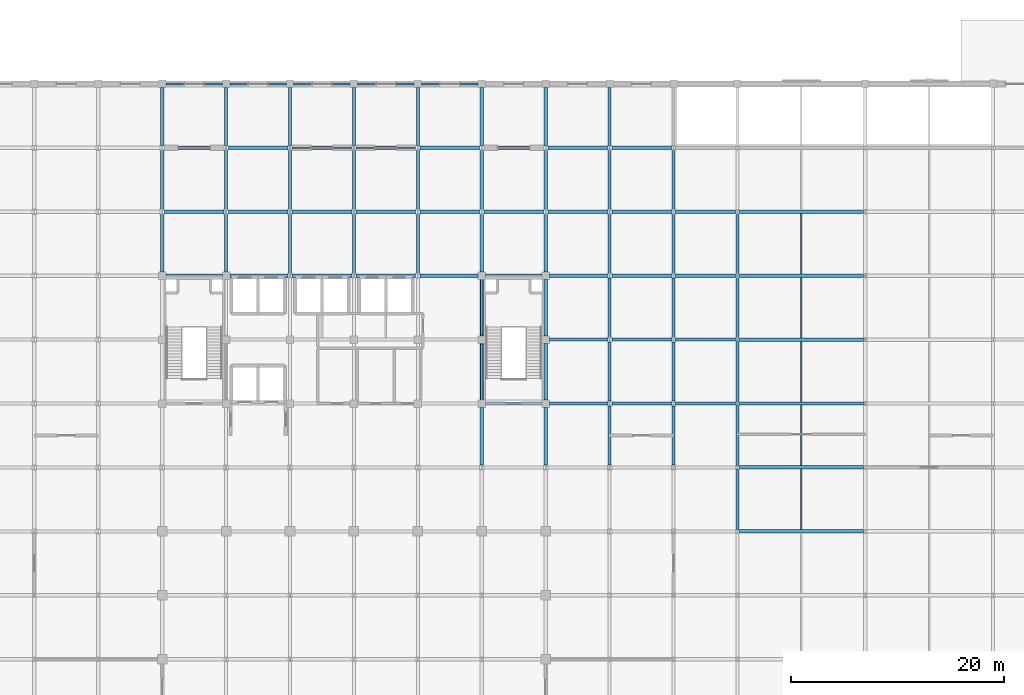
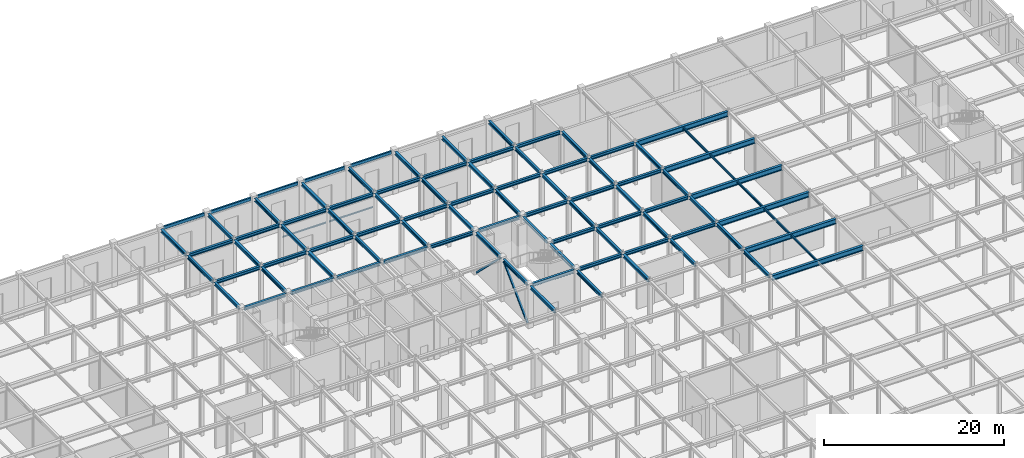
# One storey, part 36 of 51: 94 beams, 2 members.
"""IFC4 building model written with IfcOpenShell, lengths in metres."""

from ifc_helpers import new_model, si_unit, direction, frame, origin, origin_2d, place, context, subcontext, project, spatial, hollow_rectangle, i_section, extrude, material, material_profile, profile_set, type_object, element, save


model = new_model("IFC4")

# Units and contexts
model_context = context("Model", 3, precision=1e-05, world=origin(), true_north=direction((0.0, 1.0)))
body_context = subcontext(model_context, "Body", "Model", "MODEL_VIEW")
ifc_project = project(units=[si_unit("LENGTHUNIT", "METRE"), si_unit("AREAUNIT", "SQUARE_METRE"), si_unit("VOLUMEUNIT", "CUBIC_METRE"), si_unit("PLANEANGLEUNIT", "RADIAN"), si_unit("MASSUNIT", "GRAM", prefix="KILO")], contexts=[model_context])

# Site, building, storey
site_placement = place(None, origin())
site = spatial("IfcSite", under=ifc_project, at=site_placement, CompositionType="ELEMENT")
building_placement = place(site_placement, origin())
building = spatial("IfcBuilding", under=site, at=building_placement, Name="Zlatovratsky Civic Hall", CompositionType="ELEMENT")
storey_placement = place(building_placement, origin())
storey = spatial("IfcBuildingStorey", under=building, at=storey_placement, Name="L01", CompositionType="ELEMENT", Elevation=0.0)

# Beams
ifc_material = material(Name="Steel S355", Category="steel")
ifc_material_profile_1 = material_profile(ifc_material, i_section(OverallWidth=0.320068359375, OverallDepth=0.68310546875, WebThickness=0.012939453125, FlangeThickness=0.01904296875, FilletRadius=0.02587890625, at=origin_2d()), Name="70Sh1")
ifc_profile_set_1 = profile_set([ifc_material_profile_1], Name="Steel S355")
beam_type_1 = type_object("IfcBeamType", Name="Beam_HallGirder_70Sh1", PredefinedType="BEAM", material=ifc_profile_set_1)
for number, where, z_axis, x_axis, name in (
    (1, (120.175048828125, 72.0, 5.41845703125), (1.0, 0.0, 0.0), (0.0, 1.0, 0.0), "BM-1092"),
    (2, (120.175048828125, 78.0, 5.41845703125), (1.0, 0.0, 0.0), (0.0, 1.0, 0.0), "BM-1114"),
    (3, (120.175048828125, 84.0, 5.41845703125), (1.0, 0.0, 0.0), (0.0, 1.0, 0.0), "BM-1136"),
    (4, (120.175048828125, 90.0, 5.41845703125), (1.0, 0.0, 0.0), (0.0, 1.0, 0.0), "BM-1155"),
    (5, (120.175048828125, 96.0, 5.41845703125), (1.0, 0.0, 0.0), (0.0, 1.0, 0.0), "BM-1176"),
    (6, (120.175048828125, 102.0, 5.41845703125), (1.0, 0.0, 0.0), (0.0, 1.0, 0.0), "BM-1198"),
):
    element("IfcBeam", number, at=place(storey_placement, frame(where, z_axis=z_axis, x_axis=x_axis)), inside=storey, type_object=beam_type_1, Name=name, PredefinedType="BEAM", context=body_context, shape_type="SweptSolid", body=[
        extrude(i_section(OverallWidth=0.320068359375, OverallDepth=0.68310546875, WebThickness=0.012939453125, FlangeThickness=0.01904296875, FilletRadius=0.02587890625, at=origin_2d()), origin(), (0.0, 0.0, 1.0), 11.64990234375),
    ])
ifc_material_profile_2 = material_profile(ifc_material, i_section(OverallWidth=0.198974609375, OverallDepth=0.491943359375, WebThickness=0.0087890625, FlangeThickness=0.011962890625, FilletRadius=0.01611328125, at=origin_2d()), Name="50B1")
ifc_profile_set_2 = profile_set([ifc_material_profile_2], Name="Steel S355")
beam_type_2 = type_object("IfcBeamType", Name="Beam_Spandrel_50B1", PredefinedType="SPANDREL", material=ifc_profile_set_2)
for number, where, z_axis, x_axis, name in (
    (7, (66.35009765625, 114.0, 5.513916015625), (1.0, 0.0, 0.0), (0.0, 1.0, 0.0), "BM-1233"),
    (8, (72.35009765625, 114.0, 5.513916015625), (1.0, 0.0, 0.0), (0.0, 1.0, 0.0), "BM-1234"),
    (9, (78.35009765625, 114.0, 5.513916015625), (1.0, 0.0, 0.0), (0.0, 1.0, 0.0), "BM-1235"),
    (10, (84.35009765625, 114.0, 5.513916015625), (1.0, 0.0, 0.0), (0.0, 1.0, 0.0), "BM-1236"),
    (11, (90.35009765625, 114.0, 5.513916015625), (1.0, 0.0, 0.0), (0.0, 1.0, 0.0), "BM-1237"),
):
    element("IfcBeam", number, at=place(storey_placement, frame(where, z_axis=z_axis, x_axis=x_axis)), inside=storey, type_object=beam_type_2, Name=name, PredefinedType="SPANDREL", context=body_context, shape_type="SweptSolid", body=[
        extrude(i_section(OverallWidth=0.198974609375, OverallDepth=0.491943359375, WebThickness=0.0087890625, FlangeThickness=0.011962890625, FilletRadius=0.01611328125, at=origin_2d()), origin(), (0.0, 0.0, 1.0), 5.2998046875),
    ])
ifc_material_profile_3 = material_profile(ifc_material, i_section(OverallWidth=0.300048828125, OverallDepth=0.43994140625, WebThickness=0.010986328125, FlangeThickness=0.01806640625, FilletRadius=0.02197265625, at=origin_2d()), Name="45Sh1")
ifc_profile_set_3 = profile_set([ifc_material_profile_3], Name="Steel S355")
beam_type_3 = type_object("IfcBeamType", Name="Beam_TowerLow_45Sh1", PredefinedType="BEAM", material=ifc_profile_set_3)
beam_1_placement = place(storey_placement, frame((96.35009765625, 84.0, 5.5400390625), z_axis=(1.0, 0.0, 0.0), x_axis=(0.0, 1.0, 0.0)))
element("IfcBeam", 12, at=beam_1_placement, inside=storey, type_object=beam_type_3, Name="BM-1132", PredefinedType="BEAM", context=body_context, shape_type="SweptSolid", body=[
    extrude(i_section(OverallWidth=0.300048828125, OverallDepth=0.43994140625, WebThickness=0.010986328125, FlangeThickness=0.01806640625, FilletRadius=0.02197265625, at=origin_2d()), origin(), (0.0, 0.0, 1.0), 5.2998046875),
])
beam_2_placement = place(storey_placement, frame((102.35009765625, 84.0, 5.5400390625), z_axis=(1.0, 0.0, 0.0), x_axis=(0.0, 1.0, 0.0)))
element("IfcBeam", 13, at=beam_2_placement, inside=storey, type_object=beam_type_3, Name="BM-1133", PredefinedType="BEAM", context=body_context, shape_type="SweptSolid", body=[
    extrude(i_section(OverallWidth=0.300048828125, OverallDepth=0.43994140625, WebThickness=0.010986328125, FlangeThickness=0.01806640625, FilletRadius=0.02197265625, at=origin_2d()), origin(), (0.0, 0.0, 1.0), 5.4453125),
])
beam_3_placement = place(storey_placement, frame((108.20458984375, 84.0, 5.5400390625), z_axis=(1.0, 0.0, 0.0), x_axis=(0.0, 1.0, 0.0)))
element("IfcBeam", 14, at=beam_3_placement, inside=storey, type_object=beam_type_3, Name="BM-1134", PredefinedType="BEAM", context=body_context, shape_type="SweptSolid", body=[
    extrude(i_section(OverallWidth=0.300048828125, OverallDepth=0.43994140625, WebThickness=0.010986328125, FlangeThickness=0.01806640625, FilletRadius=0.02197265625, at=origin_2d()), origin(), (0.0, 0.0, 1.0), 5.5908203125),
])
beam_4_placement = place(storey_placement, frame((114.20458984375, 84.0, 5.5400390625), z_axis=(1.0, 0.0, 0.0), x_axis=(0.0, 1.0, 0.0)))
element("IfcBeam", 15, at=beam_4_placement, inside=storey, type_object=beam_type_3, Name="BM-1135", PredefinedType="BEAM", context=body_context, shape_type="SweptSolid", body=[
    extrude(i_section(OverallWidth=0.300048828125, OverallDepth=0.43994140625, WebThickness=0.010986328125, FlangeThickness=0.01806640625, FilletRadius=0.02197265625, at=origin_2d()), origin(), (0.0, 0.0, 1.0), 5.620361328125),
])
beam_5_placement = place(storey_placement, frame((102.35009765625, 90.0, 5.5400390625), z_axis=(1.0, 0.0, 0.0), x_axis=(0.0, 1.0, 0.0)))
element("IfcBeam", 16, at=beam_5_placement, inside=storey, type_object=beam_type_3, Name="BM-1152", PredefinedType="BEAM", context=body_context, shape_type="SweptSolid", body=[
    extrude(i_section(OverallWidth=0.300048828125, OverallDepth=0.43994140625, WebThickness=0.010986328125, FlangeThickness=0.01806640625, FilletRadius=0.02197265625, at=origin_2d()), origin(), (0.0, 0.0, 1.0), 5.4453125),
])
beam_6_placement = place(storey_placement, frame((108.20458984375, 90.0, 5.5400390625), z_axis=(1.0, 0.0, 0.0), x_axis=(0.0, 1.0, 0.0)))
element("IfcBeam", 17, at=beam_6_placement, inside=storey, type_object=beam_type_3, Name="BM-1153", PredefinedType="BEAM", context=body_context, shape_type="SweptSolid", body=[
    extrude(i_section(OverallWidth=0.300048828125, OverallDepth=0.43994140625, WebThickness=0.010986328125, FlangeThickness=0.01806640625, FilletRadius=0.02197265625, at=origin_2d()), origin(), (0.0, 0.0, 1.0), 5.5908203125),
])
beam_7_placement = place(storey_placement, frame((114.20458984375, 90.0, 5.5400390625), z_axis=(1.0, 0.0, 0.0), x_axis=(0.0, 1.0, 0.0)))
element("IfcBeam", 18, at=beam_7_placement, inside=storey, type_object=beam_type_3, Name="BM-1154", PredefinedType="BEAM", context=body_context, shape_type="SweptSolid", body=[
    extrude(i_section(OverallWidth=0.300048828125, OverallDepth=0.43994140625, WebThickness=0.010986328125, FlangeThickness=0.01806640625, FilletRadius=0.02197265625, at=origin_2d()), origin(), (0.0, 0.0, 1.0), 5.620361328125),
])
beam_8_placement = place(storey_placement, frame((66.35009765625, 96.0, 5.5400390625), z_axis=(1.0, 0.0, 0.0), x_axis=(0.0, 1.0, 0.0)))
element("IfcBeam", 19, at=beam_8_placement, inside=storey, type_object=beam_type_3, Name="BM-1167", PredefinedType="BEAM", context=body_context, shape_type="SweptSolid", body=[
    extrude(i_section(OverallWidth=0.300048828125, OverallDepth=0.43994140625, WebThickness=0.010986328125, FlangeThickness=0.01806640625, FilletRadius=0.02197265625, at=origin_2d()), origin(), (0.0, 0.0, 1.0), 5.2998046875),
])
beam_9_placement = place(storey_placement, frame((72.35009765625, 96.0, 5.5400390625), z_axis=(1.0, 0.0, 0.0), x_axis=(0.0, 1.0, 0.0)))
element("IfcBeam", 20, at=beam_9_placement, inside=storey, type_object=beam_type_3, Name="BM-1168", PredefinedType="BEAM", context=body_context, shape_type="SweptSolid", body=[
    extrude(i_section(OverallWidth=0.300048828125, OverallDepth=0.43994140625, WebThickness=0.010986328125, FlangeThickness=0.01806640625, FilletRadius=0.02197265625, at=origin_2d()), origin(), (0.0, 0.0, 1.0), 5.4453125),
])
for number, where, z_axis, x_axis, name in (
    (21, (78.20458984375, 96.0, 5.5400390625), (1.0, 0.0, 0.0), (0.0, 1.0, 0.0), "BM-1169"),
    (22, (84.20458984375, 96.0, 5.5400390625), (1.0, 0.0, 0.0), (0.0, 1.0, 0.0), "BM-1170"),
):
    element("IfcBeam", number, at=place(storey_placement, frame(where, z_axis=z_axis, x_axis=x_axis)), inside=storey, type_object=beam_type_3, Name=name, PredefinedType="BEAM", context=body_context, shape_type="SweptSolid", body=[
        extrude(i_section(OverallWidth=0.300048828125, OverallDepth=0.43994140625, WebThickness=0.010986328125, FlangeThickness=0.01806640625, FilletRadius=0.02197265625, at=origin_2d()), origin(), (0.0, 0.0, 1.0), 5.5908203125),
    ])
beam_10_placement = place(storey_placement, frame((90.20458984375, 96.0, 5.5400390625), z_axis=(1.0, 0.0, 0.0), x_axis=(0.0, 1.0, 0.0)))
element("IfcBeam", 23, at=beam_10_placement, inside=storey, type_object=beam_type_3, Name="BM-1171", PredefinedType="BEAM", context=body_context, shape_type="SweptSolid", body=[
    extrude(i_section(OverallWidth=0.300048828125, OverallDepth=0.43994140625, WebThickness=0.010986328125, FlangeThickness=0.01806640625, FilletRadius=0.02197265625, at=origin_2d()), origin(), (0.0, 0.0, 1.0), 5.4453125),
])
beam_11_placement = place(storey_placement, frame((96.35009765625, 96.0, 5.5400390625), z_axis=(1.0, 0.0, 0.0), x_axis=(0.0, 1.0, 0.0)))
element("IfcBeam", 24, at=beam_11_placement, inside=storey, type_object=beam_type_3, Name="BM-1172", PredefinedType="BEAM", context=body_context, shape_type="SweptSolid", body=[
    extrude(i_section(OverallWidth=0.300048828125, OverallDepth=0.43994140625, WebThickness=0.010986328125, FlangeThickness=0.01806640625, FilletRadius=0.02197265625, at=origin_2d()), origin(), (0.0, 0.0, 1.0), 5.2998046875),
])
beam_12_placement = place(storey_placement, frame((102.35009765625, 96.0, 5.5400390625), z_axis=(1.0, 0.0, 0.0), x_axis=(0.0, 1.0, 0.0)))
element("IfcBeam", 25, at=beam_12_placement, inside=storey, type_object=beam_type_3, Name="BM-1173", PredefinedType="BEAM", context=body_context, shape_type="SweptSolid", body=[
    extrude(i_section(OverallWidth=0.300048828125, OverallDepth=0.43994140625, WebThickness=0.010986328125, FlangeThickness=0.01806640625, FilletRadius=0.02197265625, at=origin_2d()), origin(), (0.0, 0.0, 1.0), 5.4453125),
])
beam_13_placement = place(storey_placement, frame((108.20458984375, 96.0, 5.5400390625), z_axis=(1.0, 0.0, 0.0), x_axis=(0.0, 1.0, 0.0)))
element("IfcBeam", 26, at=beam_13_placement, inside=storey, type_object=beam_type_3, Name="BM-1174", PredefinedType="BEAM", context=body_context, shape_type="SweptSolid", body=[
    extrude(i_section(OverallWidth=0.300048828125, OverallDepth=0.43994140625, WebThickness=0.010986328125, FlangeThickness=0.01806640625, FilletRadius=0.02197265625, at=origin_2d()), origin(), (0.0, 0.0, 1.0), 5.5908203125),
])
beam_14_placement = place(storey_placement, frame((114.20458984375, 96.0, 5.5400390625), z_axis=(1.0, 0.0, 0.0), x_axis=(0.0, 1.0, 0.0)))
element("IfcBeam", 27, at=beam_14_placement, inside=storey, type_object=beam_type_3, Name="BM-1175", PredefinedType="BEAM", context=body_context, shape_type="SweptSolid", body=[
    extrude(i_section(OverallWidth=0.300048828125, OverallDepth=0.43994140625, WebThickness=0.010986328125, FlangeThickness=0.01806640625, FilletRadius=0.02197265625, at=origin_2d()), origin(), (0.0, 0.0, 1.0), 5.620361328125),
])
for number, where, z_axis, x_axis, name in (
    (28, (66.20458984375, 102.0, 5.5400390625), (1.0, 0.0, 0.0), (0.0, 1.0, 0.0), "BM-1189"),
    (29, (72.20458984375, 102.0, 5.5400390625), (1.0, 0.0, 0.0), (0.0, 1.0, 0.0), "BM-1190"),
    (30, (78.20458984375, 102.0, 5.5400390625), (1.0, 0.0, 0.0), (0.0, 1.0, 0.0), "BM-1191"),
    (31, (84.20458984375, 102.0, 5.5400390625), (1.0, 0.0, 0.0), (0.0, 1.0, 0.0), "BM-1192"),
    (32, (90.20458984375, 102.0, 5.5400390625), (1.0, 0.0, 0.0), (0.0, 1.0, 0.0), "BM-1193"),
    (33, (96.20458984375, 102.0, 5.5400390625), (1.0, 0.0, 0.0), (0.0, 1.0, 0.0), "BM-1194"),
    (34, (102.20458984375, 102.0, 5.5400390625), (1.0, 0.0, 0.0), (0.0, 1.0, 0.0), "BM-1195"),
    (35, (108.20458984375, 102.0, 5.5400390625), (1.0, 0.0, 0.0), (0.0, 1.0, 0.0), "BM-1196"),
):
    element("IfcBeam", number, at=place(storey_placement, frame(where, z_axis=z_axis, x_axis=x_axis)), inside=storey, type_object=beam_type_3, Name=name, PredefinedType="BEAM", context=body_context, shape_type="SweptSolid", body=[
        extrude(i_section(OverallWidth=0.300048828125, OverallDepth=0.43994140625, WebThickness=0.010986328125, FlangeThickness=0.01806640625, FilletRadius=0.02197265625, at=origin_2d()), origin(), (0.0, 0.0, 1.0), 5.5908203125),
    ])
beam_15_placement = place(storey_placement, frame((114.20458984375, 102.0, 5.5400390625), z_axis=(1.0, 0.0, 0.0), x_axis=(0.0, 1.0, 0.0)))
element("IfcBeam", 36, at=beam_15_placement, inside=storey, type_object=beam_type_3, Name="BM-1197", PredefinedType="BEAM", context=body_context, shape_type="SweptSolid", body=[
    extrude(i_section(OverallWidth=0.300048828125, OverallDepth=0.43994140625, WebThickness=0.010986328125, FlangeThickness=0.01806640625, FilletRadius=0.02197265625, at=origin_2d()), origin(), (0.0, 0.0, 1.0), 5.620361328125),
])
for number, where, z_axis, x_axis, name in (
    (37, (66.20458984375, 108.0, 5.5400390625), (1.0, 0.0, 0.0), (0.0, 1.0, 0.0), "BM-1211"),
    (38, (72.20458984375, 108.0, 5.5400390625), (1.0, 0.0, 0.0), (0.0, 1.0, 0.0), "BM-1212"),
    (39, (78.20458984375, 108.0, 5.5400390625), (1.0, 0.0, 0.0), (0.0, 1.0, 0.0), "BM-1213"),
    (40, (84.20458984375, 108.0, 5.5400390625), (1.0, 0.0, 0.0), (0.0, 1.0, 0.0), "BM-1214"),
    (41, (90.20458984375, 108.0, 5.5400390625), (1.0, 0.0, 0.0), (0.0, 1.0, 0.0), "BM-1215"),
    (42, (96.20458984375, 108.0, 5.5400390625), (1.0, 0.0, 0.0), (0.0, 1.0, 0.0), "BM-1216"),
    (43, (102.20458984375, 108.0, 5.5400390625), (1.0, 0.0, 0.0), (0.0, 1.0, 0.0), "BM-1217"),
    (44, (108.20458984375, 108.0, 5.5400390625), (1.0, 0.0, 0.0), (0.0, 1.0, 0.0), "BM-1218"),
):
    element("IfcBeam", number, at=place(storey_placement, frame(where, z_axis=z_axis, x_axis=x_axis)), inside=storey, type_object=beam_type_3, Name=name, PredefinedType="BEAM", context=body_context, shape_type="SweptSolid", body=[
        extrude(i_section(OverallWidth=0.300048828125, OverallDepth=0.43994140625, WebThickness=0.010986328125, FlangeThickness=0.01806640625, FilletRadius=0.02197265625, at=origin_2d()), origin(), (0.0, 0.0, 1.0), 5.5908203125),
    ])
beam_16_placement = place(storey_placement, frame((66.0, 96.35009765625, 5.5400390625), z_axis=(0.0, 1.0, 0.0), x_axis=(-1.0, 0.0, 0.0)))
element("IfcBeam", 45, at=beam_16_placement, inside=storey, type_object=beam_type_3, Name="BM-1395", PredefinedType="BEAM", context=body_context, shape_type="SweptSolid", body=[
    extrude(i_section(OverallWidth=0.300048828125, OverallDepth=0.43994140625, WebThickness=0.010986328125, FlangeThickness=0.01806640625, FilletRadius=0.02197265625, at=origin_2d()), origin(), (0.0, 0.0, 1.0), 5.435302734375),
])
beam_17_placement = place(storey_placement, frame((66.0, 102.214599609375, 5.5400390625), z_axis=(0.0, 1.0, 0.0), x_axis=(-1.0, 0.0, 0.0)))
element("IfcBeam", 46, at=beam_17_placement, inside=storey, type_object=beam_type_3, Name="BM-1396", PredefinedType="BEAM", context=body_context, shape_type="SweptSolid", body=[
    extrude(i_section(OverallWidth=0.300048828125, OverallDepth=0.43994140625, WebThickness=0.010986328125, FlangeThickness=0.01806640625, FilletRadius=0.02197265625, at=origin_2d()), origin(), (0.0, 0.0, 1.0), 5.57080078125),
])
for number, where, z_axis, x_axis, name in (
    (47, (66.0, 108.214599609375, 5.5400390625), (0.0, 1.0, 0.0), (-1.0, 0.0, 0.0), "BM-1397"),
    (48, (72.0, 96.35009765625, 5.5400390625), (0.0, 1.0, 0.0), (-1.0, 0.0, 0.0), "BM-1411"),
):
    element("IfcBeam", number, at=place(storey_placement, frame(where, z_axis=z_axis, x_axis=x_axis)), inside=storey, type_object=beam_type_3, Name=name, PredefinedType="BEAM", context=body_context, shape_type="SweptSolid", body=[
        extrude(i_section(OverallWidth=0.300048828125, OverallDepth=0.43994140625, WebThickness=0.010986328125, FlangeThickness=0.01806640625, FilletRadius=0.02197265625, at=origin_2d()), origin(), (0.0, 0.0, 1.0), 5.435302734375),
    ])
beam_18_placement = place(storey_placement, frame((72.0, 102.214599609375, 5.5400390625), z_axis=(0.0, 1.0, 0.0), x_axis=(-1.0, 0.0, 0.0)))
element("IfcBeam", 49, at=beam_18_placement, inside=storey, type_object=beam_type_3, Name="BM-1412", PredefinedType="BEAM", context=body_context, shape_type="SweptSolid", body=[
    extrude(i_section(OverallWidth=0.300048828125, OverallDepth=0.43994140625, WebThickness=0.010986328125, FlangeThickness=0.01806640625, FilletRadius=0.02197265625, at=origin_2d()), origin(), (0.0, 0.0, 1.0), 5.57080078125),
])
beam_19_placement = place(storey_placement, frame((72.0, 108.214599609375, 5.5400390625), z_axis=(0.0, 1.0, 0.0), x_axis=(-1.0, 0.0, 0.0)))
element("IfcBeam", 50, at=beam_19_placement, inside=storey, type_object=beam_type_3, Name="BM-1413", PredefinedType="BEAM", context=body_context, shape_type="SweptSolid", body=[
    extrude(i_section(OverallWidth=0.300048828125, OverallDepth=0.43994140625, WebThickness=0.010986328125, FlangeThickness=0.01806640625, FilletRadius=0.02197265625, at=origin_2d()), origin(), (0.0, 0.0, 1.0), 5.435302734375),
])
for number, where, z_axis, x_axis, name in (
    (51, (78.0, 96.214599609375, 5.5400390625), (0.0, 1.0, 0.0), (-1.0, 0.0, 0.0), "BM-1425"),
    (52, (78.0, 102.214599609375, 5.5400390625), (0.0, 1.0, 0.0), (-1.0, 0.0, 0.0), "BM-1426"),
):
    element("IfcBeam", number, at=place(storey_placement, frame(where, z_axis=z_axis, x_axis=x_axis)), inside=storey, type_object=beam_type_3, Name=name, PredefinedType="BEAM", context=body_context, shape_type="SweptSolid", body=[
        extrude(i_section(OverallWidth=0.300048828125, OverallDepth=0.43994140625, WebThickness=0.010986328125, FlangeThickness=0.01806640625, FilletRadius=0.02197265625, at=origin_2d()), origin(), (0.0, 0.0, 1.0), 5.57080078125),
    ])
beam_20_placement = place(storey_placement, frame((78.0, 108.214599609375, 5.5400390625), z_axis=(0.0, 1.0, 0.0), x_axis=(-1.0, 0.0, 0.0)))
element("IfcBeam", 53, at=beam_20_placement, inside=storey, type_object=beam_type_3, Name="BM-1427", PredefinedType="BEAM", context=body_context, shape_type="SweptSolid", body=[
    extrude(i_section(OverallWidth=0.300048828125, OverallDepth=0.43994140625, WebThickness=0.010986328125, FlangeThickness=0.01806640625, FilletRadius=0.02197265625, at=origin_2d()), origin(), (0.0, 0.0, 1.0), 5.435302734375),
])
for number, where, z_axis, x_axis, name in (
    (54, (84.0, 96.214599609375, 5.5400390625), (0.0, 1.0, 0.0), (-1.0, 0.0, 0.0), "BM-1439"),
    (55, (84.0, 102.214599609375, 5.5400390625), (0.0, 1.0, 0.0), (-1.0, 0.0, 0.0), "BM-1440"),
):
    element("IfcBeam", number, at=place(storey_placement, frame(where, z_axis=z_axis, x_axis=x_axis)), inside=storey, type_object=beam_type_3, Name=name, PredefinedType="BEAM", context=body_context, shape_type="SweptSolid", body=[
        extrude(i_section(OverallWidth=0.300048828125, OverallDepth=0.43994140625, WebThickness=0.010986328125, FlangeThickness=0.01806640625, FilletRadius=0.02197265625, at=origin_2d()), origin(), (0.0, 0.0, 1.0), 5.57080078125),
    ])
beam_21_placement = place(storey_placement, frame((84.0, 108.214599609375, 5.5400390625), z_axis=(0.0, 1.0, 0.0), x_axis=(-1.0, 0.0, 0.0)))
element("IfcBeam", 56, at=beam_21_placement, inside=storey, type_object=beam_type_3, Name="BM-1441", PredefinedType="BEAM", context=body_context, shape_type="SweptSolid", body=[
    extrude(i_section(OverallWidth=0.300048828125, OverallDepth=0.43994140625, WebThickness=0.010986328125, FlangeThickness=0.01806640625, FilletRadius=0.02197265625, at=origin_2d()), origin(), (0.0, 0.0, 1.0), 5.435302734375),
])
for number, where, z_axis, x_axis, name in (
    (57, (90.0, 96.214599609375, 5.5400390625), (0.0, 1.0, 0.0), (-1.0, 0.0, 0.0), "BM-1453"),
    (58, (90.0, 102.214599609375, 5.5400390625), (0.0, 1.0, 0.0), (-1.0, 0.0, 0.0), "BM-1454"),
):
    element("IfcBeam", number, at=place(storey_placement, frame(where, z_axis=z_axis, x_axis=x_axis)), inside=storey, type_object=beam_type_3, Name=name, PredefinedType="BEAM", context=body_context, shape_type="SweptSolid", body=[
        extrude(i_section(OverallWidth=0.300048828125, OverallDepth=0.43994140625, WebThickness=0.010986328125, FlangeThickness=0.01806640625, FilletRadius=0.02197265625, at=origin_2d()), origin(), (0.0, 0.0, 1.0), 5.57080078125),
    ])
for number, where, z_axis, x_axis, name in (
    (59, (90.0, 108.214599609375, 5.5400390625), (0.0, 1.0, 0.0), (-1.0, 0.0, 0.0), "BM-1455"),
    (60, (96.0, 78.214599609375, 5.5400390625), (0.0, 1.0, 0.0), (-1.0, 0.0, 0.0), "BM-1466"),
):
    element("IfcBeam", number, at=place(storey_placement, frame(where, z_axis=z_axis, x_axis=x_axis)), inside=storey, type_object=beam_type_3, Name=name, PredefinedType="BEAM", context=body_context, shape_type="SweptSolid", body=[
        extrude(i_section(OverallWidth=0.300048828125, OverallDepth=0.43994140625, WebThickness=0.010986328125, FlangeThickness=0.01806640625, FilletRadius=0.02197265625, at=origin_2d()), origin(), (0.0, 0.0, 1.0), 5.435302734375),
    ])
for number, where, z_axis, x_axis, name in (
    (61, (96.0, 84.35009765625, 5.5400390625), (0.0, 1.0, 0.0), (-1.0, 0.0, 0.0), "BM-1467"),
    (62, (96.0, 90.35009765625, 5.5400390625), (0.0, 1.0, 0.0), (-1.0, 0.0, 0.0), "BM-1468"),
):
    element("IfcBeam", number, at=place(storey_placement, frame(where, z_axis=z_axis, x_axis=x_axis)), inside=storey, type_object=beam_type_3, Name=name, PredefinedType="BEAM", context=body_context, shape_type="SweptSolid", body=[
        extrude(i_section(OverallWidth=0.300048828125, OverallDepth=0.43994140625, WebThickness=0.010986328125, FlangeThickness=0.01806640625, FilletRadius=0.02197265625, at=origin_2d()), origin(), (0.0, 0.0, 1.0), 5.2998046875),
    ])
beam_22_placement = place(storey_placement, frame((96.0, 96.35009765625, 5.5400390625), z_axis=(0.0, 1.0, 0.0), x_axis=(-1.0, 0.0, 0.0)))
element("IfcBeam", 63, at=beam_22_placement, inside=storey, type_object=beam_type_3, Name="BM-1469", PredefinedType="BEAM", context=body_context, shape_type="SweptSolid", body=[
    extrude(i_section(OverallWidth=0.300048828125, OverallDepth=0.43994140625, WebThickness=0.010986328125, FlangeThickness=0.01806640625, FilletRadius=0.02197265625, at=origin_2d()), origin(), (0.0, 0.0, 1.0), 5.435302734375),
])
beam_23_placement = place(storey_placement, frame((96.0, 102.214599609375, 5.5400390625), z_axis=(0.0, 1.0, 0.0), x_axis=(-1.0, 0.0, 0.0)))
element("IfcBeam", 64, at=beam_23_placement, inside=storey, type_object=beam_type_3, Name="BM-1470", PredefinedType="BEAM", context=body_context, shape_type="SweptSolid", body=[
    extrude(i_section(OverallWidth=0.300048828125, OverallDepth=0.43994140625, WebThickness=0.010986328125, FlangeThickness=0.01806640625, FilletRadius=0.02197265625, at=origin_2d()), origin(), (0.0, 0.0, 1.0), 5.57080078125),
])
for number, where, z_axis, x_axis, name in (
    (65, (96.0, 108.214599609375, 5.5400390625), (0.0, 1.0, 0.0), (-1.0, 0.0, 0.0), "BM-1471"),
    (66, (102.0, 78.214599609375, 5.5400390625), (0.0, 1.0, 0.0), (-1.0, 0.0, 0.0), "BM-1482"),
):
    element("IfcBeam", number, at=place(storey_placement, frame(where, z_axis=z_axis, x_axis=x_axis)), inside=storey, type_object=beam_type_3, Name=name, PredefinedType="BEAM", context=body_context, shape_type="SweptSolid", body=[
        extrude(i_section(OverallWidth=0.300048828125, OverallDepth=0.43994140625, WebThickness=0.010986328125, FlangeThickness=0.01806640625, FilletRadius=0.02197265625, at=origin_2d()), origin(), (0.0, 0.0, 1.0), 5.435302734375),
    ])
for number, where, z_axis, x_axis, name in (
    (67, (102.0, 84.35009765625, 5.5400390625), (0.0, 1.0, 0.0), (-1.0, 0.0, 0.0), "BM-1483"),
    (68, (102.0, 90.35009765625, 5.5400390625), (0.0, 1.0, 0.0), (-1.0, 0.0, 0.0), "BM-1484"),
):
    element("IfcBeam", number, at=place(storey_placement, frame(where, z_axis=z_axis, x_axis=x_axis)), inside=storey, type_object=beam_type_3, Name=name, PredefinedType="BEAM", context=body_context, shape_type="SweptSolid", body=[
        extrude(i_section(OverallWidth=0.300048828125, OverallDepth=0.43994140625, WebThickness=0.010986328125, FlangeThickness=0.01806640625, FilletRadius=0.02197265625, at=origin_2d()), origin(), (0.0, 0.0, 1.0), 5.2998046875),
    ])
beam_24_placement = place(storey_placement, frame((102.0, 96.35009765625, 5.5400390625), z_axis=(0.0, 1.0, 0.0), x_axis=(-1.0, 0.0, 0.0)))
element("IfcBeam", 69, at=beam_24_placement, inside=storey, type_object=beam_type_3, Name="BM-1485", PredefinedType="BEAM", context=body_context, shape_type="SweptSolid", body=[
    extrude(i_section(OverallWidth=0.300048828125, OverallDepth=0.43994140625, WebThickness=0.010986328125, FlangeThickness=0.01806640625, FilletRadius=0.02197265625, at=origin_2d()), origin(), (0.0, 0.0, 1.0), 5.435302734375),
])
beam_25_placement = place(storey_placement, frame((102.0, 102.214599609375, 5.5400390625), z_axis=(0.0, 1.0, 0.0), x_axis=(-1.0, 0.0, 0.0)))
element("IfcBeam", 70, at=beam_25_placement, inside=storey, type_object=beam_type_3, Name="BM-1486", PredefinedType="BEAM", context=body_context, shape_type="SweptSolid", body=[
    extrude(i_section(OverallWidth=0.300048828125, OverallDepth=0.43994140625, WebThickness=0.010986328125, FlangeThickness=0.01806640625, FilletRadius=0.02197265625, at=origin_2d()), origin(), (0.0, 0.0, 1.0), 5.57080078125),
])
beam_26_placement = place(storey_placement, frame((102.0, 108.214599609375, 5.5400390625), z_axis=(0.0, 1.0, 0.0), x_axis=(-1.0, 0.0, 0.0)))
element("IfcBeam", 71, at=beam_26_placement, inside=storey, type_object=beam_type_3, Name="BM-1487", PredefinedType="BEAM", context=body_context, shape_type="SweptSolid", body=[
    extrude(i_section(OverallWidth=0.300048828125, OverallDepth=0.43994140625, WebThickness=0.010986328125, FlangeThickness=0.01806640625, FilletRadius=0.02197265625, at=origin_2d()), origin(), (0.0, 0.0, 1.0), 5.435302734375),
])
for number, where, z_axis, x_axis, name in (
    (72, (108.0, 78.214599609375, 5.5400390625), (0.0, 1.0, 0.0), (-1.0, 0.0, 0.0), "BM-1498"),
    (73, (108.0, 84.214599609375, 5.5400390625), (0.0, 1.0, 0.0), (-1.0, 0.0, 0.0), "BM-1499"),
    (74, (108.0, 90.214599609375, 5.5400390625), (0.0, 1.0, 0.0), (-1.0, 0.0, 0.0), "BM-1500"),
    (75, (108.0, 96.214599609375, 5.5400390625), (0.0, 1.0, 0.0), (-1.0, 0.0, 0.0), "BM-1501"),
    (76, (108.0, 102.214599609375, 5.5400390625), (0.0, 1.0, 0.0), (-1.0, 0.0, 0.0), "BM-1502"),
):
    element("IfcBeam", number, at=place(storey_placement, frame(where, z_axis=z_axis, x_axis=x_axis)), inside=storey, type_object=beam_type_3, Name=name, PredefinedType="BEAM", context=body_context, shape_type="SweptSolid", body=[
        extrude(i_section(OverallWidth=0.300048828125, OverallDepth=0.43994140625, WebThickness=0.010986328125, FlangeThickness=0.01806640625, FilletRadius=0.02197265625, at=origin_2d()), origin(), (0.0, 0.0, 1.0), 5.57080078125),
    ])
beam_27_placement = place(storey_placement, frame((108.0, 108.214599609375, 5.5400390625), z_axis=(0.0, 1.0, 0.0), x_axis=(-1.0, 0.0, 0.0)))
element("IfcBeam", 77, at=beam_27_placement, inside=storey, type_object=beam_type_3, Name="BM-1503", PredefinedType="BEAM", context=body_context, shape_type="SweptSolid", body=[
    extrude(i_section(OverallWidth=0.300048828125, OverallDepth=0.43994140625, WebThickness=0.010986328125, FlangeThickness=0.01806640625, FilletRadius=0.02197265625, at=origin_2d()), origin(), (0.0, 0.0, 1.0), 5.435302734375),
])
for number, where, z_axis, x_axis, name in (
    (78, (114.0, 78.214599609375, 5.5400390625), (0.0, 1.0, 0.0), (-1.0, 0.0, 0.0), "BM-1515"),
    (79, (114.0, 84.214599609375, 5.5400390625), (0.0, 1.0, 0.0), (-1.0, 0.0, 0.0), "BM-1516"),
    (80, (114.0, 90.214599609375, 5.5400390625), (0.0, 1.0, 0.0), (-1.0, 0.0, 0.0), "BM-1517"),
    (81, (114.0, 96.214599609375, 5.5400390625), (0.0, 1.0, 0.0), (-1.0, 0.0, 0.0), "BM-1518"),
    (82, (114.0, 102.214599609375, 5.5400390625), (0.0, 1.0, 0.0), (-1.0, 0.0, 0.0), "BM-1519"),
):
    element("IfcBeam", number, at=place(storey_placement, frame(where, z_axis=z_axis, x_axis=x_axis)), inside=storey, type_object=beam_type_3, Name=name, PredefinedType="BEAM", context=body_context, shape_type="SweptSolid", body=[
        extrude(i_section(OverallWidth=0.300048828125, OverallDepth=0.43994140625, WebThickness=0.010986328125, FlangeThickness=0.01806640625, FilletRadius=0.02197265625, at=origin_2d()), origin(), (0.0, 0.0, 1.0), 5.57080078125),
    ])
for number, where, z_axis, x_axis, name in (
    (83, (120.0, 72.17138671875, 5.5400390625), (0.0, 1.0, 0.0), (-1.0, 0.0, 0.0), "BM-1531"),
    (84, (120.0, 78.17138671875, 5.5400390625), (0.0, 1.0, 0.0), (-1.0, 0.0, 0.0), "BM-1532"),
    (85, (120.0, 84.17138671875, 5.5400390625), (0.0, 1.0, 0.0), (-1.0, 0.0, 0.0), "BM-1533"),
    (86, (120.0, 90.17138671875, 5.5400390625), (0.0, 1.0, 0.0), (-1.0, 0.0, 0.0), "BM-1534"),
    (87, (120.0, 96.17138671875, 5.5400390625), (0.0, 1.0, 0.0), (-1.0, 0.0, 0.0), "BM-1535"),
):
    element("IfcBeam", number, at=place(storey_placement, frame(where, z_axis=z_axis, x_axis=x_axis)), inside=storey, type_object=beam_type_3, Name=name, PredefinedType="BEAM", context=body_context, shape_type="SweptSolid", body=[
        extrude(i_section(OverallWidth=0.300048828125, OverallDepth=0.43994140625, WebThickness=0.010986328125, FlangeThickness=0.01806640625, FilletRadius=0.02197265625, at=origin_2d()), origin(), (0.0, 0.0, 1.0), 5.6572265625),
    ])

# Members
ifc_material_profile_4 = material_profile(ifc_material, hollow_rectangle(XDim=0.219970703125, YDim=0.219970703125, WallThickness=0.010009765625, at=origin_2d()), Name="SHS 220x220x10")
ifc_profile_set_4 = profile_set([ifc_material_profile_4], Name="Steel S355")
member_type = type_object("IfcMemberType", Name="Brace_Podium_SHS220", PredefinedType="BRACE", material=ifc_profile_set_4)
for number, where, z_axis, x_axis, name in (
    (88, (96.0, 84.35009765625, 0.25), (0.0, 0.713799145226, 0.700350469604), (-1.0, 0.0, 0.0), "MB-0094"),
    (89, (96.0, 90.35009765625, 5.449951171875), (0.0, 0.713799145226, -0.700350469604), (-1.0, 0.0, 0.0), "MB-0095"),
):
    element("IfcMember", number, at=place(storey_placement, frame(where, z_axis=z_axis, x_axis=x_axis)), inside=storey, type_object=member_type, Name=name, PredefinedType="BRACE", context=body_context, shape_type="SweptSolid", body=[
        extrude(hollow_rectangle(XDim=0.219970703125, YDim=0.219970703125, WallThickness=0.010009765625, at=origin_2d()), origin(), (0.0, 0.0, 1.0), 7.4248046875),
    ])

# Beams
ifc_material_profile_5 = material_profile(ifc_material, i_section(OverallWidth=0.14990234375, OverallDepth=0.300048828125, WebThickness=0.006591796875, FlangeThickness=0.009033203125, FilletRadius=0.012939453125, at=origin_2d()), Name="30B2")
ifc_profile_set_5 = profile_set([ifc_material_profile_5], Name="Steel S355")
beam_type_4 = type_object("IfcBeamType", Name="Joist_Podium_30B2", PredefinedType="JOIST", material=ifc_profile_set_5)
for number, where, z_axis, x_axis, name in (
    (90, (126.0, 72.159912109375, 5.610107421875), (0.0, 1.0, 0.0), (-1.0, 0.0, 0.0), "BM-1686"),
    (91, (126.0, 78.159912109375, 5.610107421875), (0.0, 1.0, 0.0), (-1.0, 0.0, 0.0), "BM-1692"),
    (92, (126.0, 84.159912109375, 5.610107421875), (0.0, 1.0, 0.0), (-1.0, 0.0, 0.0), "BM-1698"),
    (93, (126.0, 90.159912109375, 5.610107421875), (0.0, 1.0, 0.0), (-1.0, 0.0, 0.0), "BM-1706"),
    (94, (126.0, 96.159912109375, 5.610107421875), (0.0, 1.0, 0.0), (-1.0, 0.0, 0.0), "BM-1712"),
):
    element("IfcBeam", number, at=place(storey_placement, frame(where, z_axis=z_axis, x_axis=x_axis)), inside=storey, type_object=beam_type_4, Name=name, PredefinedType="JOIST", context=body_context, shape_type="SweptSolid", body=[
        extrude(i_section(OverallWidth=0.14990234375, OverallDepth=0.300048828125, WebThickness=0.006591796875, FlangeThickness=0.009033203125, FilletRadius=0.012939453125, at=origin_2d()), origin(), (0.0, 0.0, 1.0), 5.68017578125),
    ])
ifc_material_profile_6 = material_profile(ifc_material, i_section(OverallWidth=0.10009765625, OverallDepth=0.199951171875, WebThickness=0.005615234375, FlangeThickness=0.008544921875, FilletRadius=0.011962890625, at=origin_2d()), Name="20B1")
ifc_profile_set_6 = profile_set([ifc_material_profile_6], Name="Steel S355")
beam_type_5 = type_object("IfcBeamType", Name="Lintel_Arcade_20B1", PredefinedType="LINTEL", material=ifc_profile_set_6)
for number, where, z_axis, x_axis, name in (
    (95, (78.20458984375, 108.0, 3.800048828125), (1.0, 0.0, 0.0), (0.0, 1.0, 0.0), "BM-5400"),
    (96, (84.20458984375, 108.0, 3.800048828125), (1.0, 0.0, 0.0), (0.0, 1.0, 0.0), "BM-5401"),
):
    element("IfcBeam", number, at=place(storey_placement, frame(where, z_axis=z_axis, x_axis=x_axis)), inside=storey, type_object=beam_type_5, Name=name, PredefinedType="LINTEL", context=body_context, shape_type="SweptSolid", body=[
        extrude(i_section(OverallWidth=0.10009765625, OverallDepth=0.199951171875, WebThickness=0.005615234375, FlangeThickness=0.008544921875, FilletRadius=0.011962890625, at=origin_2d()), origin(), (0.0, 0.0, 1.0), 5.5908203125),
    ])

save(model, "model.ifc")
